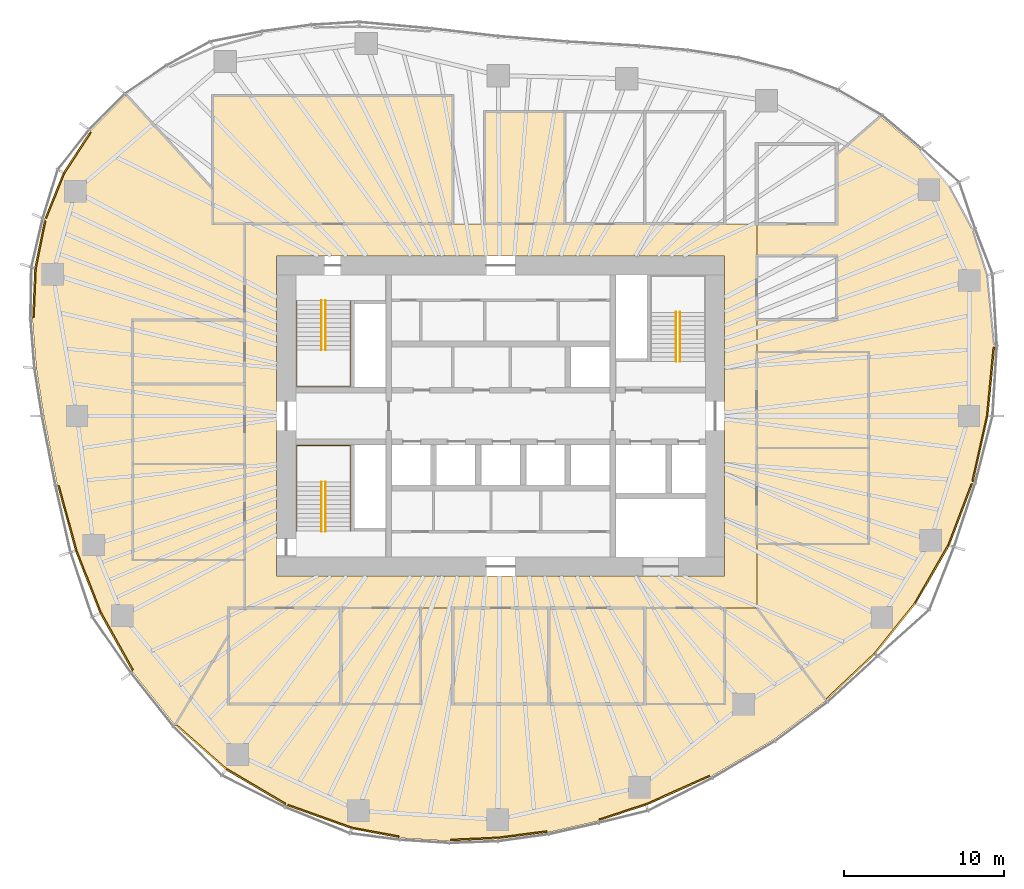
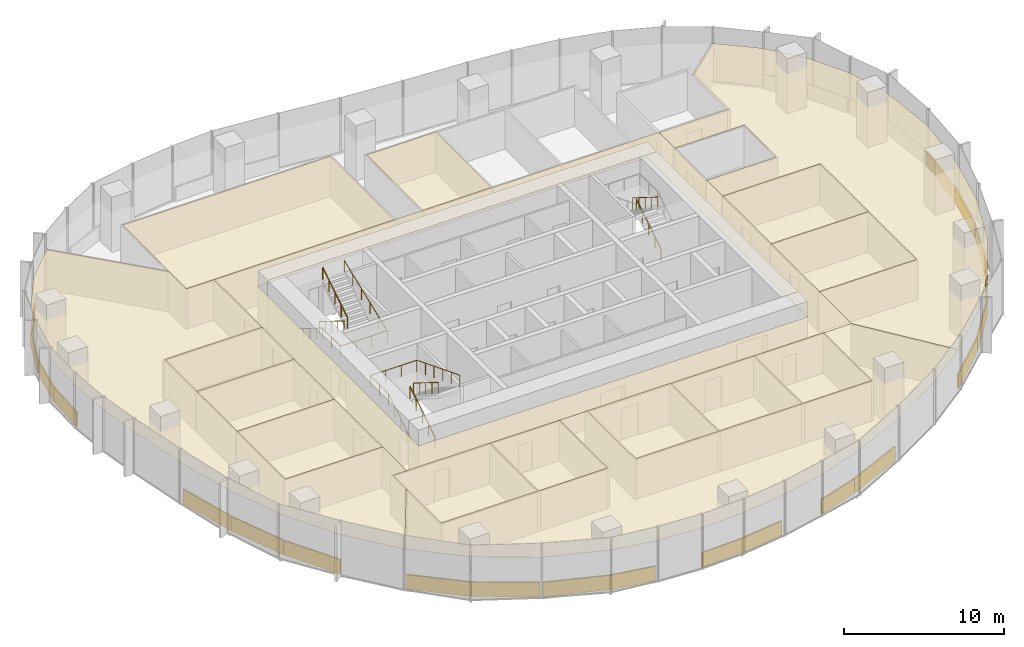
# One storey, part 17 of 18: 37 coverings, 8 railings.
"""IFC4 building model written with IfcOpenShell, lengths in metres."""

import ifcopenshell
import ifcopenshell.guid

model = None  # the IFC model being written
_history = None  # IfcOwnerHistory: only IFC2X3 demands one
_inside = {}  # id of a spatial element -> (the spatial element, [elements in it])
_under = {}  # id of a project, library or spatial element -> (it, [spatial elements below it])
_declared = {}  # id of a project -> (the project, [libraries it declares])
_typed = {}  # id of a type object -> (the type object, [elements of that type])
_made_of = {}  # id of a material, layer set ... -> (it, [elements and type objects made of it])


def new_model(schema):
    """Start an empty IFC model of exactly this schema.

    Asked for "IFC4X3", IfcOpenShell would pick the latest addendum, in which some entities
    have other attributes; the version numbers below select the first issue.
    IFC2X3 requires an IfcOwnerHistory on every rooted entity: one is made here for all.
    """
    global model, _history
    if schema == "IFC4X3":
        model = ifcopenshell.file(schema_version=(4, 3, 0, 0))
    else:
        model = ifcopenshell.file(schema=schema)
    _inside.clear()
    _under.clear()
    _declared.clear()
    _typed.clear()
    _made_of.clear()
    _history = None
    if model.schema == "IFC2X3":
        org = make("IfcOrganization", Name="unknown")
        user = make(
            "IfcPersonAndOrganization",
            ThePerson=make("IfcPerson", FamilyName="unknown"),
            TheOrganization=org,
        )
        app = make(
            "IfcApplication",
            ApplicationDeveloper=org,
            Version="unknown",
            ApplicationFullName="unknown",
            ApplicationIdentifier="unknown",
        )
        _history = make(
            "IfcOwnerHistory",
            OwningUser=user,
            OwningApplication=app,
            ChangeAction="ADDED",
            CreationDate=0,
        )
    return model


def make(cls, **values):
    """One entity of the class cls with the attributes given. An attribute that is None is left unset."""
    return model.create_entity(
        cls, **{name: value for name, value in values.items() if value is not None}
    )


def rooted(cls, **values):
    """An entity with a GlobalId (a new one), such as an element, a storey or a relation."""
    return make(cls, GlobalId=ifcopenshell.guid.new(), OwnerHistory=_history, **values)


def si_unit(unit_type, name, prefix=None):
    """IfcSIUnit, for example si_unit("LENGTHUNIT", "METRE", prefix="MILLI")."""
    return make("IfcSIUnit", UnitType=unit_type, Prefix=prefix, Name=name)


def assignment(units):
    """IfcUnitAssignment: the units of a project."""
    return None if units is None else make("IfcUnitAssignment", Units=units)


def point(xyz):
    """IfcCartesianPoint."""
    return None if xyz is None else make("IfcCartesianPoint", Coordinates=xyz)


def direction(xyz):
    """IfcDirection."""
    return None if xyz is None else make("IfcDirection", DirectionRatios=xyz)


def frame(location, z_axis=None, x_axis=None):
    """IfcAxis2Placement3D, a coordinate frame: its origin and axes. An axis left out is left unset."""
    return make(
        "IfcAxis2Placement3D",
        Location=point(location),
        Axis=direction(z_axis),
        RefDirection=direction(x_axis),
    )


def frame_2d(location, x_axis=None):
    """IfcAxis2Placement2D, a coordinate frame in the plane: its origin and x axis."""
    return make(
        "IfcAxis2Placement2D", Location=point(location), RefDirection=direction(x_axis)
    )


def origin():
    """The frame at (0, 0, 0) with its axes left unset."""
    return frame((0.0, 0.0, 0.0))


def origin_2d():
    """The frame at (0, 0) in the plane with its x axis left unset."""
    return frame_2d((0.0, 0.0))


def place(relative_to, where):
    """IfcLocalPlacement: puts the frame where relative to a parent placement (None: the world)."""
    return make(
        "IfcLocalPlacement", PlacementRelTo=relative_to, RelativePlacement=where
    )


def context(
    kind, dimensions, precision=None, world=None, true_north=None, identifier=None
):
    """IfcGeometricRepresentationContext, for example the 3D "Model" context."""
    return make(
        "IfcGeometricRepresentationContext",
        ContextIdentifier=identifier,
        ContextType=kind,
        CoordinateSpaceDimension=dimensions,
        Precision=precision,
        WorldCoordinateSystem=world,
        TrueNorth=true_north,
    )


def subcontext(parent, identifier, kind, view, scale=None):
    """IfcGeometricRepresentationSubContext, for example "Body" below "Model"."""
    return make(
        "IfcGeometricRepresentationSubContext",
        ContextIdentifier=identifier,
        ContextType=kind,
        ParentContext=parent,
        TargetScale=scale,
        TargetView=view,
    )


def project(units=None, contexts=None):
    """IfcProject with its units and contexts."""
    return rooted(
        "IfcProject",
        Name="project",
        RepresentationContexts=contexts,
        UnitsInContext=assignment(units),
    )


def spatial(cls, under=None, at=None, **own):
    """A site, building, storey or space (cls), placed at a placement, below another one or the project."""
    s = rooted(cls, ObjectPlacement=at, **own)
    if under is not None:
        _under.setdefault(under.id(), (under, []))[1].append(s)
    return s


def polyline(points):
    """IfcPolyline through the points."""
    return make("IfcPolyline", Points=[point(p) for p in points])


def profile(cls, at=None, kind="AREA", **sizes):
    """A parametric profile (cls). Its sizes go by their IFC names, for example OverallWidth=200.0."""
    return make(cls, ProfileType=kind, Position=at, **sizes)


def rectangle(**sizes):
    """IfcRectangleProfileDef."""
    return profile("IfcRectangleProfileDef", **sizes)


def circle(**sizes):
    """IfcCircleProfileDef."""
    return profile("IfcCircleProfileDef", **sizes)


def outline(outer, holes=None, kind="AREA"):
    """IfcArbitraryClosedProfileDef: a profile drawn as a closed curve; with holes, ...WithVoids."""
    if holes is None:
        return make("IfcArbitraryClosedProfileDef", ProfileType=kind, OuterCurve=outer)
    return make(
        "IfcArbitraryProfileDefWithVoids",
        ProfileType=kind,
        OuterCurve=outer,
        InnerCurves=holes,
    )


def extrude(swept, where, along, depth):
    """IfcExtrudedAreaSolid: the profile swept, set in the frame where, extruded along a direction by depth."""
    return make(
        "IfcExtrudedAreaSolid",
        SweptArea=swept,
        Position=where,
        ExtrudedDirection=direction(along),
        Depth=depth,
    )


def shape(context_of_items, identifier, shape_type, items):
    """IfcShapeRepresentation: the items that make up one representation, for example the "Body"."""
    return make(
        "IfcShapeRepresentation",
        ContextOfItems=context_of_items,
        RepresentationIdentifier=identifier,
        RepresentationType=shape_type,
        Items=items,
    )


def material(Name=None, Category=None):
    """IfcMaterial."""
    return make("IfcMaterial", Name=Name, Category=Category)


def layer(
    of_material, thickness, ventilated=None, Name=None, Category=None, Priority=None
):
    """IfcMaterialLayer: one layer of a wall or slab, of a material (None: an air gap)."""
    return make(
        "IfcMaterialLayer",
        Material=of_material,
        LayerThickness=thickness,
        IsVentilated=ventilated,
        Name=Name,
        Category=Category,
        Priority=Priority,
    )


def layer_set(layers, Name=None):
    """IfcMaterialLayerSet."""
    return make("IfcMaterialLayerSet", MaterialLayers=layers, LayerSetName=Name)


def made_of(thing, what):
    """Note that an element or type object is made of a material, layer set ...; save() writes the relation."""
    if what is not None:
        _made_of.setdefault(what.id(), (what, []))[1].append(thing)
    return thing


def type_object(cls, material=None, **own):
    """A type object (cls), such as IfcWallType, which elements share."""
    return made_of(rooted(cls, **own), material)


def element(
    cls,
    number,
    at=None,
    inside=None,
    cuts=None,
    type_object=None,
    material=None,
    context=None,
    identifier="Body",
    shape_type=None,
    held_by="IfcProductDefinitionShape",
    body=None,
    shapes=None,
    **own,
):
    """One element of the class cls, such as IfcWall. Its Tag is "e" and its number.

    at: its placement. inside: the storey or other place that contains it. cuts: it is an
    opening in that element (IfcRelVoidsElement). A single representation is given by context,
    identifier, shape_type and body (its items); several are given by shapes. held_by: the class
    of the entity that holds the representations. save() writes the other relations.
    """
    e = rooted(cls, Tag="e%d" % number, ObjectPlacement=at, **own)
    if body is not None:
        shapes = [shape(context, identifier, shape_type, body)]
    if shapes is not None:
        e.Representation = make(held_by, Representations=shapes)
    if inside is not None:
        _inside.setdefault(inside.id(), (inside, []))[1].append(e)
    if cuts is not None:
        rooted(
            "IfcRelVoidsElement", RelatingBuildingElement=cuts, RelatedOpeningElement=e
        )
    if type_object is not None:
        _typed.setdefault(type_object.id(), (type_object, []))[1].append(e)
    return made_of(e, material)


def aggregate(whole, parts):
    """IfcRelAggregates: a whole, such as a stair, and the parts it consists of."""
    return rooted("IfcRelAggregates", RelatingObject=whole, RelatedObjects=parts)


def save(model, path):
    """Write the relations noted so far, then the file.

    IfcRelAggregates (storeys below a building ...), IfcRelContainedInSpatialStructure (elements
    in a storey), IfcRelDefinesByType, IfcRelAssociatesMaterial and IfcRelDeclares: one each for
    every whole, place, type object, material and project.
    """
    for whole, parts in _under.values():
        aggregate(whole, parts)
    for where, things in _inside.values():
        rooted(
            "IfcRelContainedInSpatialStructure",
            RelatedElements=things,
            RelatingStructure=where,
        )
    for kind, things in _typed.values():
        rooted("IfcRelDefinesByType", RelatedObjects=things, RelatingType=kind)
    for what, things in _made_of.values():
        rooted("IfcRelAssociatesMaterial", RelatedObjects=things, RelatingMaterial=what)
    for by, libraries in _declared.values():
        rooted("IfcRelDeclares", RelatingContext=by, RelatedDefinitions=libraries)
    model.write(path)


model = new_model("IFC4")

# Units and contexts
model_context = context("Model", 3, precision=1e-05, world=origin(), true_north=direction((0.0, 1.0)))
body_context = subcontext(model_context, "Body", "Model", "MODEL_VIEW")
ifc_project = project(units=[si_unit("LENGTHUNIT", "METRE"), si_unit("AREAUNIT", "SQUARE_METRE"), si_unit("VOLUMEUNIT", "CUBIC_METRE"), si_unit("PLANEANGLEUNIT", "RADIAN"), si_unit("MASSUNIT", "GRAM", prefix="KILO")], contexts=[model_context])

# Site, building, storey
site_placement = place(None, origin())
site = spatial("IfcSite", under=ifc_project, at=site_placement, CompositionType="ELEMENT")
building_placement = place(site_placement, origin())
building = spatial("IfcBuilding", under=site, at=building_placement, Name="Ghaith Harvest Tower", CompositionType="ELEMENT")
storey_placement = place(building_placement, frame((0.0, 0.0, 147.0)))
storey = spatial("IfcBuildingStorey", under=building, at=storey_placement, Name="L31", CompositionType="ELEMENT", Elevation=147.0)

# Coverings
ifc_material_1 = material(Name="Mineral fibre ceiling tile", Category="gypsum")
ifc_layer_1 = layer(ifc_material_1, 0.02001953125)
ifc_layer_set_1 = layer_set([ifc_layer_1], Name="CEILING C1")
covering_type_1 = type_object("IfcCoveringType", Name="CEILING C1", PredefinedType="CEILING", material=ifc_layer_set_1)
covering_1_placement = place(storey_placement, frame((0.0, 0.0, 3.0)))
element("IfcCovering", 1, at=covering_1_placement, inside=storey, type_object=covering_type_1, Name="Ceiling L31-01", PredefinedType="CEILING", context=body_context, shape_type="SweptSolid", body=[
    extrude(outline(polyline([(-18.0, 12.0), (-3.0, 12.0), (-3.0, 20.0), (-18.0, 20.0), (-18.0, 12.0)])), origin(), (0.0, 0.0, 1.0), 0.02001953125),
])
covering_2_placement = place(storey_placement, frame((0.0, 0.0, 3.0)))
element("IfcCovering", 2, at=covering_2_placement, inside=storey, type_object=covering_type_1, Name="Ceiling L31-02", PredefinedType="CEILING", context=body_context, shape_type="SweptSolid", body=[
    extrude(outline(polyline([(-1.0, 12.0), (4.0, 12.0), (4.0, 19.0), (-1.0, 19.0), (-1.0, 12.0)])), origin(), (0.0, 0.0, 1.0), 0.02001953125),
])
covering_3_placement = place(storey_placement, frame((0.0, 0.0, 3.0)))
element("IfcCovering", 3, at=covering_3_placement, inside=storey, type_object=covering_type_1, Name="Ceiling L31-05", PredefinedType="CEILING", context=body_context, shape_type="SweptSolid", body=[
    extrude(outline(polyline([(-17.0, -18.0), (-10.0, -18.0), (-10.0, -12.0), (-17.0, -12.0), (-17.0, -18.0)])), origin(), (0.0, 0.0, 1.0), 0.02001953125),
])
covering_4_placement = place(storey_placement, frame((0.0, 0.0, 3.0)))
element("IfcCovering", 4, at=covering_4_placement, inside=storey, type_object=covering_type_1, Name="Ceiling L31-06", PredefinedType="CEILING", context=body_context, shape_type="SweptSolid", body=[
    extrude(outline(polyline([(-10.0, -18.0), (-5.0, -18.0), (-5.0, -12.0), (-10.0, -12.0), (-10.0, -18.0)])), origin(), (0.0, 0.0, 1.0), 0.02001953125),
])
covering_5_placement = place(storey_placement, frame((0.0, 0.0, 3.0)))
element("IfcCovering", 5, at=covering_5_placement, inside=storey, type_object=covering_type_1, Name="Ceiling L31-07", PredefinedType="CEILING", context=body_context, shape_type="SweptSolid", body=[
    extrude(outline(polyline([(-3.0, -18.0), (3.0, -18.0), (3.0, -12.0), (-3.0, -12.0), (-3.0, -18.0)])), origin(), (0.0, 0.0, 1.0), 0.02001953125),
])
covering_6_placement = place(storey_placement, frame((0.0, 0.0, 3.0)))
element("IfcCovering", 6, at=covering_6_placement, inside=storey, type_object=covering_type_1, Name="Ceiling L31-08", PredefinedType="CEILING", context=body_context, shape_type="SweptSolid", body=[
    extrude(outline(polyline([(3.0, -18.0), (9.0, -18.0), (9.0, -12.0), (3.0, -12.0), (3.0, -18.0)])), origin(), (0.0, 0.0, 1.0), 0.02001953125),
])
covering_7_placement = place(storey_placement, frame((0.0, 0.0, 3.0)))
element("IfcCovering", 7, at=covering_7_placement, inside=storey, type_object=covering_type_1, Name="Ceiling L31-09", PredefinedType="CEILING", context=body_context, shape_type="SweptSolid", body=[
    extrude(outline(polyline([(9.0, -18.0), (14.0, -18.0), (14.0, -12.0), (9.0, -12.0), (9.0, -18.0)])), origin(), (0.0, 0.0, 1.0), 0.02001953125),
])
covering_8_placement = place(storey_placement, frame((0.0, 0.0, 3.0)))
element("IfcCovering", 8, at=covering_8_placement, inside=storey, type_object=covering_type_1, Name="Ceiling L31-10", PredefinedType="CEILING", context=body_context, shape_type="SweptSolid", body=[
    extrude(outline(polyline([(16.0, -8.0), (23.0, -8.0), (23.0, -2.0), (16.0, -2.0), (16.0, -8.0)])), origin(), (0.0, 0.0, 1.0), 0.02001953125),
])
covering_9_placement = place(storey_placement, frame((0.0, 0.0, 3.0)))
element("IfcCovering", 9, at=covering_9_placement, inside=storey, type_object=covering_type_1, Name="Ceiling L31-11", PredefinedType="CEILING", context=body_context, shape_type="SweptSolid", body=[
    extrude(outline(polyline([(16.0, -2.0), (23.0, -2.0), (23.0, 4.0), (16.0, 4.0), (16.0, -2.0)])), origin(), (0.0, 0.0, 1.0), 0.02001953125),
])
covering_10_placement = place(storey_placement, frame((0.0, 0.0, 3.0)))
element("IfcCovering", 10, at=covering_10_placement, inside=storey, type_object=covering_type_1, Name="Ceiling L31-12", PredefinedType="CEILING", context=body_context, shape_type="SweptSolid", body=[
    extrude(outline(polyline([(-23.0, -9.0), (-16.0, -9.0), (-16.0, -3.0), (-23.0, -3.0), (-23.0, -9.0)])), origin(), (0.0, 0.0, 1.0), 0.02001953125),
])
covering_11_placement = place(storey_placement, frame((0.0, 0.0, 3.0)))
element("IfcCovering", 11, at=covering_11_placement, inside=storey, type_object=covering_type_1, Name="Ceiling L31-13", PredefinedType="CEILING", context=body_context, shape_type="SweptSolid", body=[
    extrude(outline(polyline([(-23.0, -3.0), (-16.0, -3.0), (-16.0, 2.0), (-23.0, 2.0), (-23.0, -3.0)])), origin(), (0.0, 0.0, 1.0), 0.02001953125),
])
covering_12_placement = place(storey_placement, frame((0.0, 0.0, 3.0)))
element("IfcCovering", 12, at=covering_12_placement, inside=storey, type_object=covering_type_1, Name="Ceiling L31-14", PredefinedType="CEILING", context=body_context, shape_type="SweptSolid", body=[
    extrude(outline(polyline([(-23.0, 2.0), (-16.0, 2.0), (-16.0, 6.0), (-23.0, 6.0), (-23.0, 2.0)])), origin(), (0.0, 0.0, 1.0), 0.02001953125),
])
covering_13_placement = place(storey_placement, frame((0.0, 0.0, 3.0)))
element("IfcCovering", 13, at=covering_13_placement, inside=storey, type_object=covering_type_1, Name="Ceiling L31-C1", PredefinedType="CEILING", context=body_context, shape_type="SweptSolid", body=[
    extrude(outline(polyline([(-16.0, 12.0), (16.0, 12.0), (16.0, -12.0), (-16.0, -12.0), (-16.0, 12.0)]), holes=[polyline([(14.0, 10.0), (-14.0, 10.0), (-14.0, -10.0), (14.0, -10.0), (14.0, 10.0)])]), origin(), (0.0, 0.0, 1.0), 0.02001953125),
])
covering_14_placement = place(storey_placement, frame((0.0, 0.0, 3.0)))
element("IfcCovering", 14, at=covering_14_placement, inside=storey, type_object=covering_type_1, Name="Ceiling L31-E1", PredefinedType="CEILING", context=body_context, shape_type="SweptSolid", body=[
    extrude(outline(polyline([(26.179443359375, 16.660888671875), (28.0888671875, 14.32568359375), (29.52294921875, 11.671875), (30.439208984375, 8.797607421875), (30.8798828125, 4.373046875), (30.458740234375, 0.0), (29.527099609375, -4.181396484375), (28.03125, -8.1015625), (25.94775390625, -11.714111328125), (23.400390625, -14.89208984375), (20.33935546875, -17.784912109375), (16.0, -12.0), (16.0, -8.0), (23.0, -8.0), (23.0, 4.0), (16.0, 4.0), (16.0, 6.0), (21.0, 6.0), (21.0, 10.0), (16.0, 10.0), (16.0, 12.0), (21.0, 12.0), (21.0, 16.3466796875), (23.7275390625, 18.718017578125), (26.179443359375, 16.660888671875)])), origin(), (0.0, 0.0, 1.0), 0.02001953125),
])
covering_15_placement = place(storey_placement, frame((0.0, 0.0, 3.0)))
element("IfcCovering", 15, at=covering_15_placement, inside=storey, type_object=covering_type_1, Name="Ceiling L31-S1", PredefinedType="CEILING", context=body_context, shape_type="SweptSolid", body=[
    extrude(outline(polyline([(17.054443359375, -20.22412109375), (13.163818359375, -22.510498046875), (9.09423828125, -24.326904296875), (6.09228515625, -25.308837890625), (2.99609375, -26.010009765625), (-0.180908203125, -26.423583984375), (-3.204833984375, -26.556884765625), (-6.2666015625, -26.366455078125), (-9.317138671875, -25.79638671875), (-13.4052734375, -24.33740234375), (-17.1728515625, -22.11181640625), (-20.35400390625, -19.31396484375), (-17.0, -13.6796875), (-17.0, -18.0), (-5.0, -18.0), (-5.0, -12.0), (-3.0, -12.0), (-3.0, -18.0), (14.0, -18.0), (14.0, -12.0), (16.0, -12.0), (20.33935546875, -17.784912109375), (17.054443359375, -20.22412109375)])), origin(), (0.0, 0.0, 1.0), 0.02001953125),
])
covering_16_placement = place(storey_placement, frame((0.0, 0.0, 3.0)))
element("IfcCovering", 16, at=covering_16_placement, inside=storey, type_object=covering_type_1, Name="Ceiling L31-W1", PredefinedType="CEILING", context=body_context, shape_type="SweptSolid", body=[
    extrude(outline(polyline([(-25.046875, -12.32861328125), (-26.580078125, -8.423583984375), (-27.70947265625, -4.285888671875), (-28.541259765625, 0.0), (-29.01171875, 2.978271484375), (-29.260498046875, 6.07177734375), (-29.12646484375, 9.230712890625), (-28.506591796875, 12.29638671875), (-27.33837890625, 15.204833984375), (-25.61962890625, 17.826416015625), (-23.398193359375, 20.06103515625), (-18.0, 14.17919921875), (-18.0, 12.0), (-16.0, 12.0), (-16.0, 6.0), (-23.0, 6.0), (-23.0, -9.0), (-16.0, -9.0), (-16.0, -12.0), (-17.0, -12.0), (-17.0, -13.6796875), (-20.35400390625, -19.31396484375), (-22.99169921875, -15.997802734375), (-25.046875, -12.32861328125)])), origin(), (0.0, 0.0, 1.0), 0.02001953125),
])

# Railings
ifc_material_2 = material(Name="Steel, black powder-coated", Category="steel")
railing_type = type_object("IfcRailingType", Name="HANDRAIL HR1", PredefinedType="HANDRAIL", material=ifc_material_2)
railing_1_placement = place(storey_placement, frame((-11.199951171875, 7.199951171875, 0.175048828125)))
element("IfcRailing", 17, at=railing_1_placement, inside=storey, type_object=railing_type, Name="Handrail HR1 stair ST1 L31 flight 1 inner", PredefinedType="HANDRAIL", context=body_context, shape_type="SweptSolid", body=[
    extrude(circle(Radius=0.02392578125, at=origin_2d()), frame((0.0, 0.0, 0.8759765625), z_axis=(0.0, -0.847979421464, 0.530029150871), x_axis=(1.0, 0.0, 0.0)), (0.0, 0.0, 1.0), 3.632080078125),
    extrude(circle(Radius=0.02099609375, at=origin_2d()), origin(), (0.0, 0.0, 1.0), 0.851806640625),
    extrude(circle(Radius=0.02099609375, at=origin_2d()), frame((0.0, -0.77001953125, 0.481201171875)), (0.0, 0.0, 1.0), 0.851806640625),
    extrude(circle(Radius=0.02099609375, at=origin_2d()), frame((0.0, -1.5400390625, 0.96240234375)), (0.0, 0.0, 1.0), 0.851806640625),
    extrude(circle(Radius=0.02099609375, at=origin_2d()), frame((0.0, -2.309814453125, 1.44384765625)), (0.0, 0.0, 1.0), 0.851806640625),
    extrude(circle(Radius=0.02099609375, at=origin_2d()), frame((0.0, -3.079833984375, 1.925048828125)), (0.0, 0.0, 1.0), 0.851806640625),
])
railing_2_placement = place(storey_placement, frame((-10.949951171875, 4.1201171875, 2.27490234375)))
element("IfcRailing", 18, at=railing_2_placement, inside=storey, type_object=railing_type, Name="Handrail HR1 stair ST1 L31 flight 2 inner", PredefinedType="HANDRAIL", context=body_context, shape_type="SweptSolid", body=[
    extrude(circle(Radius=0.02392578125, at=origin_2d()), frame((0.0, 0.0, 0.8759765625), z_axis=(0.0, 0.847979421464, 0.530029150871), x_axis=(-1.0, 0.0, 0.0)), (0.0, 0.0, 1.0), 3.632080078125),
    extrude(circle(Radius=0.02099609375, at=origin_2d()), origin(), (0.0, 0.0, 1.0), 0.851806640625),
    extrude(circle(Radius=0.02099609375, at=origin_2d()), frame((0.0, 0.77001953125, 0.481201171875)), (0.0, 0.0, 1.0), 0.851806640625),
    extrude(circle(Radius=0.02099609375, at=origin_2d()), frame((0.0, 1.5400390625, 0.96240234375)), (0.0, 0.0, 1.0), 0.851806640625),
    extrude(circle(Radius=0.02099609375, at=origin_2d()), frame((0.0, 2.309814453125, 1.44384765625)), (0.0, 0.0, 1.0), 0.851806640625),
    extrude(circle(Radius=0.02099609375, at=origin_2d()), frame((0.0, 3.079833984375, 1.925048828125)), (0.0, 0.0, 1.0), 0.851806640625),
])
railing_3_placement = place(storey_placement, frame((-12.75, 7.199951171875, 0.175048828125)))
element("IfcRailing", 19, at=railing_3_placement, inside=storey, type_object=railing_type, Name="Handrail HR1 stair ST1 L31 wall side", PredefinedType="HANDRAIL", context=body_context, shape_type="SweptSolid", body=[
    extrude(circle(Radius=0.02392578125, at=origin_2d()), frame((0.0, 0.0, 0.8759765625), z_axis=(0.0, -0.847979421464, 0.530029150871), x_axis=(1.0, 0.0, 0.0)), (0.0, 0.0, 1.0), 3.632080078125),
    extrude(circle(Radius=0.02392578125, at=origin_2d()), frame((0.0, -3.079833984375, 2.80078125), z_axis=(0.0, -1.0, 0.0), x_axis=(1.0, 0.0, 0.0)), (0.0, 0.0, 1.0), 2.27001953125),
    extrude(circle(Radius=0.02392578125, at=origin_2d()), frame((0.0, -5.349853515625, 2.80078125), z_axis=(1.0, 0.0, 0.0), x_axis=(0.0, 1.0, 0.0)), (0.0, 0.0, 1.0), 3.35009765625),
    extrude(circle(Radius=0.02392578125, at=origin_2d()), frame((3.35009765625, -5.349853515625, 2.80078125), z_axis=(0.0, 0.930862461605, 0.365369781968), x_axis=(-1.0, 0.0, 0.0)), (0.0, 0.0, 1.0), 5.747314453125),
    extrude(circle(Radius=0.02099609375, at=origin_2d()), origin(), (0.0, 0.0, 1.0), 0.851806640625),
    extrude(circle(Radius=0.02099609375, at=origin_2d()), frame((0.0, -0.77001953125, 0.481201171875)), (0.0, 0.0, 1.0), 0.851806640625),
    extrude(circle(Radius=0.02099609375, at=origin_2d()), frame((0.0, -1.5400390625, 0.96240234375)), (0.0, 0.0, 1.0), 0.851806640625),
    extrude(circle(Radius=0.02099609375, at=origin_2d()), frame((0.0, -2.309814453125, 1.44384765625)), (0.0, 0.0, 1.0), 0.851806640625),
    extrude(circle(Radius=0.02099609375, at=origin_2d()), frame((0.0, -3.079833984375, 1.925048828125)), (0.0, 0.0, 1.0), 0.851806640625),
    extrude(circle(Radius=0.02099609375, at=origin_2d()), frame((0.0, -4.21484375, 1.925048828125)), (0.0, 0.0, 1.0), 0.851806640625),
    extrude(circle(Radius=0.02099609375, at=origin_2d()), frame((0.0, -5.349853515625, 1.925048828125)), (0.0, 0.0, 1.0), 0.851806640625),
    extrude(circle(Radius=0.02099609375, at=origin_2d()), frame((1.11669921875, -5.349853515625, 1.925048828125)), (0.0, 0.0, 1.0), 0.851806640625),
    extrude(circle(Radius=0.02099609375, at=origin_2d()), frame((2.2333984375, -5.349853515625, 1.925048828125)), (0.0, 0.0, 1.0), 0.851806640625),
    extrude(circle(Radius=0.02099609375, at=origin_2d()), frame((3.35009765625, -5.349853515625, 1.925048828125)), (0.0, 0.0, 1.0), 0.851806640625),
    extrude(circle(Radius=0.02099609375, at=origin_2d()), frame((3.35009765625, -4.27978515625, 2.344970703125)), (0.0, 0.0, 1.0), 0.851806640625),
    extrude(circle(Radius=0.02099609375, at=origin_2d()), frame((3.35009765625, -3.2099609375, 2.764892578125)), (0.0, 0.0, 1.0), 0.851806640625),
    extrude(circle(Radius=0.02099609375, at=origin_2d()), frame((3.35009765625, -2.139892578125, 3.18505859375)), (0.0, 0.0, 1.0), 0.851806640625),
    extrude(circle(Radius=0.02099609375, at=origin_2d()), frame((3.35009765625, -1.070068359375, 3.60498046875)), (0.0, 0.0, 1.0), 0.851806640625),
    extrude(circle(Radius=0.02099609375, at=origin_2d()), frame((3.35009765625, 0.0, 4.02490234375)), (0.0, 0.0, 1.0), 0.851806640625),
])
railing_4_placement = place(storey_placement, frame((-11.199951171875, -7.199951171875, 0.175048828125)))
element("IfcRailing", 20, at=railing_4_placement, inside=storey, type_object=railing_type, Name="Handrail HR1 stair ST3 L31 flight 1 inner", PredefinedType="HANDRAIL", context=body_context, shape_type="SweptSolid", body=[
    extrude(circle(Radius=0.02392578125, at=origin_2d()), frame((0.0, 0.0, 0.8759765625), z_axis=(0.0, 0.847979421464, 0.530029150871), x_axis=(-1.0, 0.0, 0.0)), (0.0, 0.0, 1.0), 3.632080078125),
    extrude(circle(Radius=0.02099609375, at=origin_2d()), origin(), (0.0, 0.0, 1.0), 0.851806640625),
    extrude(circle(Radius=0.02099609375, at=origin_2d()), frame((0.0, 0.77001953125, 0.481201171875)), (0.0, 0.0, 1.0), 0.851806640625),
    extrude(circle(Radius=0.02099609375, at=origin_2d()), frame((0.0, 1.5400390625, 0.96240234375)), (0.0, 0.0, 1.0), 0.851806640625),
    extrude(circle(Radius=0.02099609375, at=origin_2d()), frame((0.0, 2.309814453125, 1.44384765625)), (0.0, 0.0, 1.0), 0.851806640625),
    extrude(circle(Radius=0.02099609375, at=origin_2d()), frame((0.0, 3.079833984375, 1.925048828125)), (0.0, 0.0, 1.0), 0.851806640625),
])
railing_5_placement = place(storey_placement, frame((-10.949951171875, -4.1201171875, 2.27490234375)))
element("IfcRailing", 21, at=railing_5_placement, inside=storey, type_object=railing_type, Name="Handrail HR1 stair ST3 L31 flight 2 inner", PredefinedType="HANDRAIL", context=body_context, shape_type="SweptSolid", body=[
    extrude(circle(Radius=0.02392578125, at=origin_2d()), frame((0.0, 0.0, 0.8759765625), z_axis=(0.0, -0.847979421464, 0.530029150871), x_axis=(1.0, 0.0, 0.0)), (0.0, 0.0, 1.0), 3.632080078125),
    extrude(circle(Radius=0.02099609375, at=origin_2d()), origin(), (0.0, 0.0, 1.0), 0.851806640625),
    extrude(circle(Radius=0.02099609375, at=origin_2d()), frame((0.0, -0.77001953125, 0.481201171875)), (0.0, 0.0, 1.0), 0.851806640625),
    extrude(circle(Radius=0.02099609375, at=origin_2d()), frame((0.0, -1.5400390625, 0.96240234375)), (0.0, 0.0, 1.0), 0.851806640625),
    extrude(circle(Radius=0.02099609375, at=origin_2d()), frame((0.0, -2.309814453125, 1.44384765625)), (0.0, 0.0, 1.0), 0.851806640625),
    extrude(circle(Radius=0.02099609375, at=origin_2d()), frame((0.0, -3.079833984375, 1.925048828125)), (0.0, 0.0, 1.0), 0.851806640625),
])
railing_6_placement = place(storey_placement, frame((-12.75, -7.199951171875, 0.175048828125)))
element("IfcRailing", 22, at=railing_6_placement, inside=storey, type_object=railing_type, Name="Handrail HR1 stair ST3 L31 wall side", PredefinedType="HANDRAIL", context=body_context, shape_type="SweptSolid", body=[
    extrude(circle(Radius=0.02392578125, at=origin_2d()), frame((0.0, 0.0, 0.8759765625), z_axis=(0.0, 0.847979421464, 0.530029150871), x_axis=(-1.0, 0.0, 0.0)), (0.0, 0.0, 1.0), 3.632080078125),
    extrude(circle(Radius=0.02392578125, at=origin_2d()), frame((0.0, 3.079833984375, 2.80078125), z_axis=(0.0, 1.0, 0.0), x_axis=(-1.0, 0.0, 0.0)), (0.0, 0.0, 1.0), 2.27001953125),
    extrude(circle(Radius=0.02392578125, at=origin_2d()), frame((0.0, 5.349853515625, 2.80078125), z_axis=(1.0, 0.0, 0.0), x_axis=(0.0, 1.0, 0.0)), (0.0, 0.0, 1.0), 3.35009765625),
    extrude(circle(Radius=0.02392578125, at=origin_2d()), frame((3.35009765625, 5.349853515625, 2.80078125), z_axis=(0.0, -0.930862461605, 0.365369781968), x_axis=(1.0, 0.0, 0.0)), (0.0, 0.0, 1.0), 5.747314453125),
    extrude(circle(Radius=0.02099609375, at=origin_2d()), origin(), (0.0, 0.0, 1.0), 0.851806640625),
    extrude(circle(Radius=0.02099609375, at=origin_2d()), frame((0.0, 0.77001953125, 0.481201171875)), (0.0, 0.0, 1.0), 0.851806640625),
    extrude(circle(Radius=0.02099609375, at=origin_2d()), frame((0.0, 1.5400390625, 0.96240234375)), (0.0, 0.0, 1.0), 0.851806640625),
    extrude(circle(Radius=0.02099609375, at=origin_2d()), frame((0.0, 2.309814453125, 1.44384765625)), (0.0, 0.0, 1.0), 0.851806640625),
    extrude(circle(Radius=0.02099609375, at=origin_2d()), frame((0.0, 3.079833984375, 1.925048828125)), (0.0, 0.0, 1.0), 0.851806640625),
    extrude(circle(Radius=0.02099609375, at=origin_2d()), frame((0.0, 4.21484375, 1.925048828125)), (0.0, 0.0, 1.0), 0.851806640625),
    extrude(circle(Radius=0.02099609375, at=origin_2d()), frame((0.0, 5.349853515625, 1.925048828125)), (0.0, 0.0, 1.0), 0.851806640625),
    extrude(circle(Radius=0.02099609375, at=origin_2d()), frame((1.11669921875, 5.349853515625, 1.925048828125)), (0.0, 0.0, 1.0), 0.851806640625),
    extrude(circle(Radius=0.02099609375, at=origin_2d()), frame((2.2333984375, 5.349853515625, 1.925048828125)), (0.0, 0.0, 1.0), 0.851806640625),
    extrude(circle(Radius=0.02099609375, at=origin_2d()), frame((3.35009765625, 5.349853515625, 1.925048828125)), (0.0, 0.0, 1.0), 0.851806640625),
    extrude(circle(Radius=0.02099609375, at=origin_2d()), frame((3.35009765625, 4.27978515625, 2.344970703125)), (0.0, 0.0, 1.0), 0.851806640625),
    extrude(circle(Radius=0.02099609375, at=origin_2d()), frame((3.35009765625, 3.2099609375, 2.764892578125)), (0.0, 0.0, 1.0), 0.851806640625),
    extrude(circle(Radius=0.02099609375, at=origin_2d()), frame((3.35009765625, 2.139892578125, 3.18505859375)), (0.0, 0.0, 1.0), 0.851806640625),
    extrude(circle(Radius=0.02099609375, at=origin_2d()), frame((3.35009765625, 1.070068359375, 3.60498046875)), (0.0, 0.0, 1.0), 0.851806640625),
    extrude(circle(Radius=0.02099609375, at=origin_2d()), frame((3.35009765625, 0.0, 4.02490234375)), (0.0, 0.0, 1.0), 0.851806640625),
])
railing_7_placement = place(storey_placement, frame((11.199951171875, 3.39990234375, 0.175048828125)))
element("IfcRailing", 23, at=railing_7_placement, inside=storey, type_object=railing_type, Name="Handrail HR1 stair ST2 L31 flight 1 inner", PredefinedType="HANDRAIL", context=body_context, shape_type="SweptSolid", body=[
    extrude(circle(Radius=0.02392578125, at=origin_2d()), frame((0.0, 0.0, 0.8759765625), z_axis=(0.0, 0.847998304005, 0.529998940003), x_axis=(-1.0, 0.0, 0.0)), (0.0, 0.0, 1.0), 3.632080078125),
    extrude(circle(Radius=0.02099609375, at=origin_2d()), origin(), (0.0, 0.0, 1.0), 0.851806640625),
    extrude(circle(Radius=0.02099609375, at=origin_2d()), frame((0.0, 0.77001953125, 0.481201171875)), (0.0, 0.0, 1.0), 0.851806640625),
    extrude(circle(Radius=0.02099609375, at=origin_2d()), frame((0.0, 1.5400390625, 0.96240234375)), (0.0, 0.0, 1.0), 0.851806640625),
    extrude(circle(Radius=0.02099609375, at=origin_2d()), frame((0.0, 2.31005859375, 1.44384765625)), (0.0, 0.0, 1.0), 0.851806640625),
    extrude(circle(Radius=0.02099609375, at=origin_2d()), frame((0.0, 3.080078125, 1.925048828125)), (0.0, 0.0, 1.0), 0.851806640625),
])
railing_8_placement = place(storey_placement, frame((10.949951171875, 6.47998046875, 2.27490234375)))
element("IfcRailing", 24, at=railing_8_placement, inside=storey, type_object=railing_type, Name="Handrail HR1 stair ST2 L31 flight 2 inner", PredefinedType="HANDRAIL", context=body_context, shape_type="SweptSolid", body=[
    extrude(circle(Radius=0.02392578125, at=origin_2d()), frame((0.0, 0.0, 0.8759765625), z_axis=(0.0, -0.847998304005, 0.529998940003), x_axis=(1.0, 0.0, 0.0)), (0.0, 0.0, 1.0), 3.632080078125),
    extrude(circle(Radius=0.02099609375, at=origin_2d()), origin(), (0.0, 0.0, 1.0), 0.851806640625),
    extrude(circle(Radius=0.02099609375, at=origin_2d()), frame((0.0, -0.77001953125, 0.481201171875)), (0.0, 0.0, 1.0), 0.851806640625),
    extrude(circle(Radius=0.02099609375, at=origin_2d()), frame((0.0, -1.5400390625, 0.96240234375)), (0.0, 0.0, 1.0), 0.851806640625),
    extrude(circle(Radius=0.02099609375, at=origin_2d()), frame((0.0, -2.31005859375, 1.44384765625)), (0.0, 0.0, 1.0), 0.851806640625),
    extrude(circle(Radius=0.02099609375, at=origin_2d()), frame((0.0, -3.080078125, 1.925048828125)), (0.0, 0.0, 1.0), 0.851806640625),
])

# Coverings
ifc_material_3 = material(Name="Insulated aluminium spandrel panel on steel framing", Category="steel")
ifc_layer_2 = layer(ifc_material_3, 0.10009765625)
ifc_layer_set_2 = layer_set([ifc_layer_2], Name="SLAB EDGE UPSTAND 1100x100")
covering_type_2 = type_object("IfcCoveringType", Name="SLAB EDGE UPSTAND 1100x100", PredefinedType="CLADDING", material=ifc_layer_set_2)
covering_17_placement = place(storey_placement, frame((30.61474609375, 2.1416015625, 0.0), z_axis=(0.0, 0.0, 1.0), x_axis=(0.095861332319, 0.99539469808, 0.0)))
element("IfcCovering", 25, at=covering_17_placement, inside=storey, type_object=covering_type_2, Name="Slab edge upstand 1 bay 01 L31", PredefinedType="CLADDING", context=body_context, shape_type="SweptSolid", body=[
    extrude(rectangle(XDim=4.293212890625, YDim=0.10009765625, at=origin_2d()), origin(), (0.0, 0.0, 1.0), 1.10009765625),
])
covering_18_placement = place(storey_placement, frame((-26.464599609375, 16.4462890625, 0.0), z_axis=(0.0, 0.0, 1.0), x_axis=(-0.548312211554, -0.836273710373, 0.0)))
element("IfcCovering", 26, at=covering_18_placement, inside=storey, type_object=covering_type_2, Name="Slab edge upstand 1 bay 09 L31", PredefinedType="CLADDING", context=body_context, shape_type="SweptSolid", body=[
    extrude(rectangle(XDim=3.03466796875, YDim=0.10009765625, at=origin_2d()), origin(), (0.0, 0.0, 1.0), 1.10009765625),
])
covering_19_placement = place(storey_placement, frame((-27.857421875, 13.7783203125, 0.0), z_axis=(0.0, 0.0, 1.0), x_axis=(-0.372732078847, -0.927939005215, 0.0)))
element("IfcCovering", 27, at=covering_19_placement, inside=storey, type_object=covering_type_2, Name="Slab edge upstand 2 bay 09 L31", PredefinedType="CLADDING", context=body_context, shape_type="SweptSolid", body=[
    extrude(rectangle(XDim=3.034423828125, YDim=0.10009765625, at=origin_2d()), origin(), (0.0, 0.0, 1.0), 1.10009765625),
])
covering_20_placement = place(storey_placement, frame((-28.777587890625, 10.70458984375, 0.0), z_axis=(0.0, 0.0, 1.0), x_axis=(-0.198182542943, -0.980165128778, 0.0)))
element("IfcCovering", 28, at=covering_20_placement, inside=storey, type_object=covering_type_2, Name="Slab edge upstand 3 bay 09 L31", PredefinedType="CLADDING", context=body_context, shape_type="SweptSolid", body=[
    extrude(rectangle(XDim=3.027587890625, YDim=0.10009765625, at=origin_2d()), origin(), (0.0, 0.0, 1.0), 1.10009765625),
])
covering_21_placement = place(storey_placement, frame((-29.141357421875, 7.69921875, 0.0), z_axis=(0.0, 0.0, 1.0), x_axis=(-0.042372799788, -0.9991018696, 0.0)))
element("IfcCovering", 29, at=covering_21_placement, inside=storey, type_object=covering_type_2, Name="Slab edge upstand 1 bay 10 L31", PredefinedType="CLADDING", context=body_context, shape_type="SweptSolid", body=[
    extrude(rectangle(XDim=3.061767578125, YDim=0.10009765625, at=origin_2d()), origin(), (0.0, 0.0, 1.0), 1.10009765625),
])
covering_22_placement = place(storey_placement, frame((-27.08349609375, -6.389892578125, 0.0), z_axis=(0.0, 0.0, 1.0), x_axis=(0.263287721652, -0.964717355305, 0.0)))
element("IfcCovering", 30, at=covering_22_placement, inside=storey, type_object=covering_type_2, Name="Slab edge upstand 2 bay 11 L31", PredefinedType="CLADDING", context=body_context, shape_type="SweptSolid", body=[
    extrude(rectangle(XDim=4.189208984375, YDim=0.10009765625, at=origin_2d()), origin(), (0.0, 0.0, 1.0), 1.10009765625),
])
covering_23_placement = place(storey_placement, frame((-25.76708984375, -10.35791015625, 0.0), z_axis=(0.0, 0.0, 1.0), x_axis=(0.365514970008, -0.930805461254, 0.0)))
element("IfcCovering", 31, at=covering_23_placement, inside=storey, type_object=covering_type_2, Name="Slab edge upstand 1 bay 12 L31", PredefinedType="CLADDING", context=body_context, shape_type="SweptSolid", body=[
    extrude(rectangle(XDim=4.195068359375, YDim=0.10009765625, at=origin_2d()), origin(), (0.0, 0.0, 1.0), 1.10009765625),
])
covering_24_placement = place(storey_placement, frame((-24.0, -14.09521484375, 0.0), z_axis=(0.0, 0.0, 1.0), x_axis=(0.488683758288, -0.872460993045, 0.0)))
element("IfcCovering", 32, at=covering_24_placement, inside=storey, type_object=covering_type_2, Name="Slab edge upstand 2 bay 12 L31", PredefinedType="CLADDING", context=body_context, shape_type="SweptSolid", body=[
    extrude(rectangle(XDim=4.10546875, YDim=0.10009765625, at=origin_2d()), origin(), (0.0, 0.0, 1.0), 1.10009765625),
])
covering_25_placement = place(storey_placement, frame((-18.69287109375, -20.70849609375, 0.0), z_axis=(0.0, 0.0, 1.0), x_axis=(0.75089221411, -0.660424774511, 0.0)))
element("IfcCovering", 33, at=covering_25_placement, inside=storey, type_object=covering_type_2, Name="Slab edge upstand 2 bay 13 L31", PredefinedType="CLADDING", context=body_context, shape_type="SweptSolid", body=[
    extrude(rectangle(XDim=4.136474609375, YDim=0.10009765625, at=origin_2d()), origin(), (0.0, 0.0, 1.0), 1.10009765625),
])
covering_26_placement = place(storey_placement, frame((-15.306640625, -23.15625, 0.0), z_axis=(0.0, 0.0, 1.0), x_axis=(0.861020519069, -0.508570217121, 0.0)))
element("IfcCovering", 34, at=covering_26_placement, inside=storey, type_object=covering_type_2, Name="Slab edge upstand 1 bay 14 L31", PredefinedType="CLADDING", context=body_context, shape_type="SweptSolid", body=[
    extrude(rectangle(XDim=4.27587890625, YDim=0.10009765625, at=origin_2d()), origin(), (0.0, 0.0, 1.0), 1.10009765625),
])
covering_27_placement = place(storey_placement, frame((-11.29736328125, -25.03662109375, 0.0), z_axis=(0.0, 0.0, 1.0), x_axis=(0.941807015649, -0.336154049915, 0.0)))
element("IfcCovering", 35, at=covering_27_placement, inside=storey, type_object=covering_type_2, Name="Slab edge upstand 2 bay 14 L31", PredefinedType="CLADDING", context=body_context, shape_type="SweptSolid", body=[
    extrude(rectangle(XDim=4.24072265625, YDim=0.10009765625, at=origin_2d()), origin(), (0.0, 0.0, 1.0), 1.10009765625),
])
covering_28_placement = place(storey_placement, frame((-7.831787109375, -26.023193359375, 0.0), z_axis=(0.0, 0.0, 1.0), x_axis=(0.982990071164, -0.183658705191, 0.0)))
element("IfcCovering", 36, at=covering_28_placement, inside=storey, type_object=covering_type_2, Name="Slab edge upstand 1 bay 15 L31", PredefinedType="CLADDING", context=body_context, shape_type="SweptSolid", body=[
    extrude(rectangle(XDim=3.003173828125, YDim=0.10009765625, at=origin_2d()), origin(), (0.0, 0.0, 1.0), 1.10009765625),
])
covering_29_placement = place(storey_placement, frame((-1.64501953125, -26.43798828125, 0.0), z_axis=(0.0, 0.0, 1.0), x_axis=(0.999029547734, 0.044045008275, 0.0)))
element("IfcCovering", 37, at=covering_29_placement, inside=storey, type_object=covering_type_2, Name="Slab edge upstand 3 bay 15 L31", PredefinedType="CLADDING", context=body_context, shape_type="SweptSolid", body=[
    extrude(rectangle(XDim=2.927001953125, YDim=0.10009765625, at=origin_2d()), origin(), (0.0, 0.0, 1.0), 1.10009765625),
])
covering_30_placement = place(storey_placement, frame((1.3515625, -26.173583984375, 0.0), z_axis=(0.0, 0.0, 1.0), x_axis=(0.991633707242, 0.129083657611, 0.0)))
element("IfcCovering", 38, at=covering_30_placement, inside=storey, type_object=covering_type_2, Name="Slab edge upstand 1 bay 16 L31", PredefinedType="CLADDING", context=body_context, shape_type="SweptSolid", body=[
    extrude(rectangle(XDim=3.103759765625, YDim=0.10009765625, at=origin_2d()), origin(), (0.0, 0.0, 1.0), 1.10009765625),
])
covering_31_placement = place(storey_placement, frame((7.625244140625, -24.754638671875, 0.0), z_axis=(0.0, 0.0, 1.0), x_axis=(0.950441392134, 0.310903779518, 0.0)))
element("IfcCovering", 39, at=covering_31_placement, inside=storey, type_object=covering_type_2, Name="Slab edge upstand 3 bay 16 L31", PredefinedType="CLADDING", context=body_context, shape_type="SweptSolid", body=[
    extrude(rectangle(XDim=3.05859375, YDim=0.10009765625, at=origin_2d()), origin(), (0.0, 0.0, 1.0), 1.10009765625),
])
covering_32_placement = place(storey_placement, frame((11.06298828125, -23.393310546875, 0.0), z_axis=(0.0, 0.0, 1.0), x_axis=(0.913170343632, 0.407578119519, 0.0)))
element("IfcCovering", 40, at=covering_32_placement, inside=storey, type_object=covering_type_2, Name="Slab edge upstand 1 bay 17 L31", PredefinedType="CLADDING", context=body_context, shape_type="SweptSolid", body=[
    extrude(rectangle(XDim=4.356689453125, YDim=0.10009765625, at=origin_2d()), origin(), (0.0, 0.0, 1.0), 1.10009765625),
])
covering_33_placement = place(storey_placement, frame((21.871826171875, -16.267822265625, 0.0), z_axis=(0.0, 0.0, 1.0), x_axis=(0.72680962062, 0.686838973395, 0.0)))
element("IfcCovering", 41, at=covering_33_placement, inside=storey, type_object=covering_type_2, Name="Slab edge upstand 2 bay 18 L31", PredefinedType="CLADDING", context=body_context, shape_type="SweptSolid", body=[
    extrude(rectangle(XDim=4.111572265625, YDim=0.10009765625, at=origin_2d()), origin(), (0.0, 0.0, 1.0), 1.10009765625),
])
covering_34_placement = place(storey_placement, frame((24.635009765625, -13.27197265625, 0.0), z_axis=(0.0, 0.0, 1.0), x_axis=(0.625468377377, 0.780249517079, 0.0)))
element("IfcCovering", 42, at=covering_34_placement, inside=storey, type_object=covering_type_2, Name="Slab edge upstand 1 bay 19 L31", PredefinedType="CLADDING", context=body_context, shape_type="SweptSolid", body=[
    extrude(rectangle(XDim=4.072998046875, YDim=0.10009765625, at=origin_2d()), origin(), (0.0, 0.0, 1.0), 1.10009765625),
])
covering_35_placement = place(storey_placement, frame((26.9462890625, -9.8828125, 0.0), z_axis=(0.0, 0.0, 1.0), x_axis=(0.499596169173, 0.866258430117, 0.0)))
element("IfcCovering", 43, at=covering_35_placement, inside=storey, type_object=covering_type_2, Name="Slab edge upstand 2 bay 19 L31", PredefinedType="CLADDING", context=body_context, shape_type="SweptSolid", body=[
    extrude(rectangle(XDim=4.170166015625, YDim=0.10009765625, at=origin_2d()), origin(), (0.0, 0.0, 1.0), 1.10009765625),
])
covering_36_placement = place(storey_placement, frame((28.714599609375, -6.17041015625, 0.0), z_axis=(0.0, 0.0, 1.0), x_axis=(0.356503850378, 0.934293853488, 0.0)))
element("IfcCovering", 44, at=covering_36_placement, inside=storey, type_object=covering_type_2, Name="Slab edge upstand 1 bay 20 L31", PredefinedType="CLADDING", context=body_context, shape_type="SweptSolid", body=[
    extrude(rectangle(XDim=4.095947265625, YDim=0.10009765625, at=origin_2d()), origin(), (0.0, 0.0, 1.0), 1.10009765625),
])
covering_37_placement = place(storey_placement, frame((29.955078125, -2.031005859375, 0.0), z_axis=(0.0, 0.0, 1.0), x_axis=(0.217466241983, 0.976067842723, 0.0)))
element("IfcCovering", 45, at=covering_37_placement, inside=storey, type_object=covering_type_2, Name="Slab edge upstand 2 bay 20 L31", PredefinedType="CLADDING", context=body_context, shape_type="SweptSolid", body=[
    extrude(rectangle(XDim=4.183837890625, YDim=0.10009765625, at=origin_2d()), origin(), (0.0, 0.0, 1.0), 1.10009765625),
])

save(model, "model.ifc")
